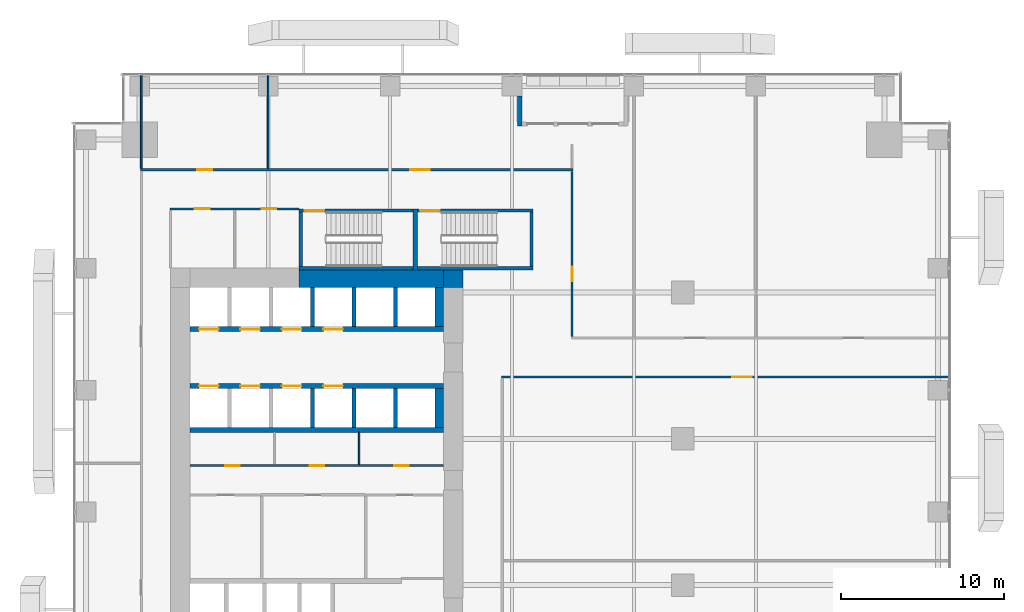
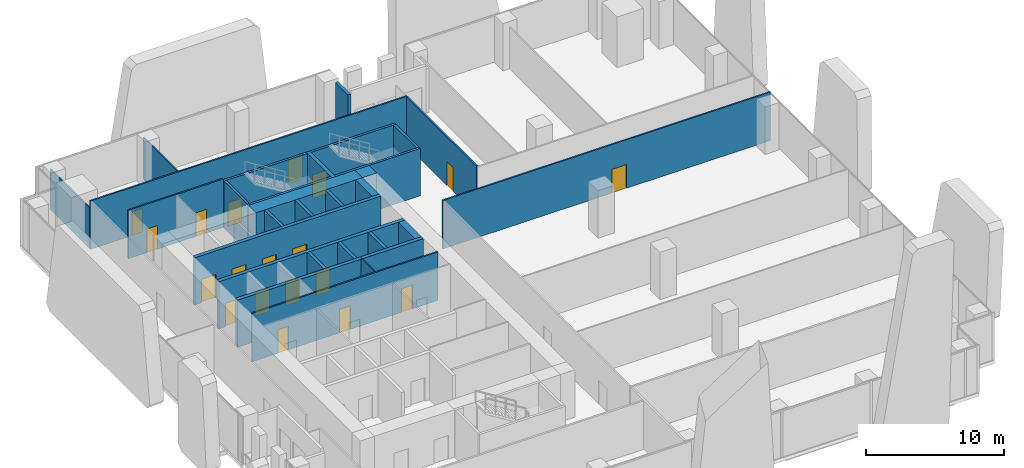
# One storey, part 29 of 34: 29 walls, 19 doors, 19 openings.
"""IFC4 building model written with IfcOpenShell, lengths in metres."""

from ifc_helpers import new_model, si_unit, direction, frame, frame_2d, origin, place, context, subcontext, project, spatial, rectangle, extrude, source, transform, mapped, material, layer, layer_set, type_object, element, fill, save


model = new_model("IFC4")

# Units and contexts
model_context = context("Model", 3, precision=1e-05, world=origin(), true_north=direction((0.0, 1.0)))
body_context = subcontext(model_context, "Body", "Model", "MODEL_VIEW")
ifc_project = project(units=[si_unit("LENGTHUNIT", "METRE"), si_unit("AREAUNIT", "SQUARE_METRE"), si_unit("VOLUMEUNIT", "CUBIC_METRE"), si_unit("PLANEANGLEUNIT", "RADIAN"), si_unit("MASSUNIT", "GRAM", prefix="KILO")], contexts=[model_context])

# Site, building, storey
site_placement = place(None, origin())
site = spatial("IfcSite", under=ifc_project, at=site_placement, CompositionType="ELEMENT")
building_placement = place(site_placement, origin())
building = spatial("IfcBuilding", under=site, at=building_placement, Name="Khomas Fold Tower", CompositionType="ELEMENT")
storey_placement = place(building_placement, frame((0.0, 0.0, 51.0)))
storey = spatial("IfcBuildingStorey", under=building, at=storey_placement, Name="L10", CompositionType="ELEMENT", Elevation=51.0)

# Walls
ifc_material_1 = material(Name="Concrete C70/85", Category="concrete")
ifc_layer_1 = layer(ifc_material_1, 1.10009765625)
ifc_layer_set_1 = layer_set([ifc_layer_1], Name="Concrete C70/85")
wall_type_1 = type_object("IfcWallType", Name="Core wall 1100", PredefinedType="SHEAR", material=ifc_layer_set_1)
shared_shape_1 = source(origin(), body_context, "Body", "SweptSolid", [
    extrude(rectangle(XDim=8.900146484375, YDim=1.10009765625, at=frame_2d((4.4501953125, 0.0))), origin(), (0.0, 0.0, 1.0), 4.199951171875),
])
wall_1_placement = place(storey_placement, frame((13.89990234375, 41.35009765625, 0.0), z_axis=(0.0, 0.0, 1.0), x_axis=(1.0, 0.0, 0.0)))
element("IfcWall", 1, at=wall_1_placement, inside=storey, type_object=wall_type_1, Name="Core wall CW-L-N-B2-1", PredefinedType="SHEAR", context=body_context, shape_type="MappedRepresentation", body=[
    mapped(shared_shape_1, transform((0.0, 0.0, 0.0))),
])
ifc_material_2 = material(Name="Concrete C70/85", Category="concrete")
ifc_layer_2 = layer(ifc_material_2, 1.10009765625)
ifc_layer_set_2 = layer_set([ifc_layer_2], Name="Concrete C70/85")
wall_type_2 = type_object("IfcWallType", Name="Core corner wall 1100", PredefinedType="SHEAR", material=ifc_layer_set_2)
shared_shape_2 = source(origin(), body_context, "Body", "SweptSolid", [
    extrude(rectangle(XDim=1.199951171875, YDim=1.10009765625, at=frame_2d((0.60009765625, 0.0))), origin(), (0.0, 0.0, 1.0), 4.199951171875),
])
wall_2_placement = place(storey_placement, frame((22.800048828125, 41.35009765625, 0.0), z_axis=(0.0, 0.0, 1.0), x_axis=(1.0, 0.0, 0.0)))
element("IfcWall", 2, at=wall_2_placement, inside=storey, type_object=wall_type_2, Name="Core wall CW-L-NE-B2", PredefinedType="SHEAR", context=body_context, shape_type="MappedRepresentation", body=[
    mapped(shared_shape_2, transform((0.0, 0.0, 0.0))),
])

# Wall, opening, door
ifc_material_3 = material(Name="Concrete C50/60", Category="concrete")
ifc_layer_3 = layer(ifc_material_3, 0.199951171875)
ifc_layer_set_3 = layer_set([ifc_layer_3], Name="Concrete C50/60")
wall_type_3 = type_object("IfcWallType", Name="Stair wall 200", PredefinedType="SHEAR", material=ifc_layer_set_3)
shared_shape_3 = source(origin(), body_context, "Body", "SweptSolid", [
    extrude(rectangle(XDim=7.0, YDim=0.199951171875, at=frame_2d((3.5, 0.0))), origin(), (0.0, 0.0, 1.0), 4.199951171875),
])
wall_3_placement = place(storey_placement, frame((13.89990234375, 45.550048828125, 0.0), z_axis=(0.0, 0.0, 1.0), x_axis=(1.0, 0.0, 0.0)))
wall_3 = element("IfcWall", 3, at=wall_3_placement, inside=storey, type_object=wall_type_3, Name="Stair wall SW-ST1-N", PredefinedType="SHEAR", context=body_context, shape_type="MappedRepresentation", body=[
    mapped(shared_shape_3, transform((0.0, 0.0, 0.0))),
])
shared_shape_4 = source(origin(), body_context, "Body", "SweptSolid", [
    extrude(rectangle(XDim=1.199951171875, YDim=2.10009765625, at=frame_2d((0.60009765625, 1.050048828125))), frame((0.0, 0.10986328125, 0.0), z_axis=(0.0, -1.0, 0.0), x_axis=(1.0, 0.0, 0.0)), (0.0, 0.0, 1.0), 0.219970703125),
])
opening_1_placement = place(wall_3_placement, frame((0.35009765625, 0.0, 0.0)))
opening_1 = element("IfcOpeningElement", 4, at=opening_1_placement, cuts=wall_3, Name="Opening SD-ST1", PredefinedType="OPENING", context=body_context, shape_type="MappedRepresentation", body=[
    mapped(shared_shape_4, transform((0.0, 0.0, 0.0))),
])
ifc_material_4 = material(Name="Steel door leaf", Category="steel")
door_type_1 = type_object("IfcDoorType", Name="Stair door 1200x2100 left-hand", OperationType="SINGLE_SWING_LEFT", PredefinedType="DOOR", material=ifc_material_4)
shared_shape_5 = source(origin(), body_context, "Body", "SweptSolid", [
    extrude(rectangle(XDim=1.199951171875, YDim=2.10009765625, at=frame_2d((0.60009765625, 1.050048828125))), frame((0.0, 0.02490234375, 0.0), z_axis=(0.0, -1.0, 0.0), x_axis=(1.0, 0.0, 0.0)), (0.0, 0.0, 1.0), 0.050048828125),
])
door_1_placement = place(opening_1_placement, origin())
door_1 = element("IfcDoor", 5, at=door_1_placement, inside=storey, type_object=door_type_1, Name="Stair door", OperationType="SINGLE_SWING_LEFT", OverallHeight=2.10009765625, OverallWidth=1.199951171875, PredefinedType="DOOR", context=body_context, shape_type="MappedRepresentation", body=[
    mapped(shared_shape_5, transform((0.0, 0.0, 0.0))),
])
fill(opening_1, door_1)

# Wall
wall_4_placement = place(storey_placement, frame((13.89990234375, 42.0, 0.0), z_axis=(0.0, 0.0, 1.0), x_axis=(1.0, 0.0, 0.0)))
element("IfcWall", 6, at=wall_4_placement, inside=storey, type_object=wall_type_3, Name="Stair wall SW-ST1-S", PredefinedType="SHEAR", context=body_context, shape_type="MappedRepresentation", body=[
    mapped(shared_shape_3, transform((0.0, 0.0, 0.0))),
])

# Wall, opening, door
shared_shape_6 = source(origin(), body_context, "Body", "SweptSolid", [
    extrude(rectangle(XDim=7.10009765625, YDim=0.199951171875, at=frame_2d((3.550048828125, 0.0))), origin(), (0.0, 0.0, 1.0), 4.199951171875),
])
wall_5_placement = place(storey_placement, frame((21.199951171875, 45.550048828125, 0.0), z_axis=(0.0, 0.0, 1.0), x_axis=(1.0, 0.0, 0.0)))
wall_5 = element("IfcWall", 7, at=wall_5_placement, inside=storey, type_object=wall_type_3, Name="Stair wall SW-ST3-N", PredefinedType="SHEAR", context=body_context, shape_type="MappedRepresentation", body=[
    mapped(shared_shape_6, transform((0.0, 0.0, 0.0))),
])
opening_2_placement = place(wall_5_placement, frame((0.14990234375, 0.0, 0.0)))
opening_2 = element("IfcOpeningElement", 8, at=opening_2_placement, cuts=wall_5, Name="Opening SD-ST3", PredefinedType="OPENING", context=body_context, shape_type="MappedRepresentation", body=[
    mapped(shared_shape_4, transform((0.0, 0.0, 0.0))),
])
door_2_placement = place(opening_2_placement, origin())
door_2 = element("IfcDoor", 9, at=door_2_placement, inside=storey, type_object=door_type_1, Name="Stair door", OperationType="SINGLE_SWING_LEFT", OverallHeight=2.10009765625, OverallWidth=1.199951171875, PredefinedType="DOOR", context=body_context, shape_type="MappedRepresentation", body=[
    mapped(shared_shape_5, transform((0.0, 0.0, 0.0))),
])
fill(opening_2, door_2)

# Walls
wall_6_placement = place(storey_placement, frame((21.199951171875, 42.0, 0.0), z_axis=(0.0, 0.0, 1.0), x_axis=(1.0, 0.0, 0.0)))
element("IfcWall", 10, at=wall_6_placement, inside=storey, type_object=wall_type_3, Name="Stair wall SW-ST3-S", PredefinedType="SHEAR", context=body_context, shape_type="MappedRepresentation", body=[
    mapped(shared_shape_6, transform((0.0, 0.0, 0.0))),
])
ifc_material_5 = material(Name="Concrete C50/60", Category="concrete")
ifc_layer_4 = layer(ifc_material_5, 0.300048828125)
ifc_layer_set_4 = layer_set([ifc_layer_4], Name="Concrete C50/60")
wall_type_4 = type_object("IfcWallType", Name="Stair wall 300", PredefinedType="SHEAR", material=ifc_layer_set_4)
shared_shape_7 = source(origin(), body_context, "Body", "SweptSolid", [
    extrude(rectangle(XDim=3.75, YDim=0.300048828125, at=frame_2d((1.875, 0.0))), origin(), (0.0, 0.0, 1.0), 4.199951171875),
])
wall_7_placement = place(storey_placement, frame((21.050048828125, 41.89990234375, 0.0), z_axis=(0.0, 0.0, 1.0), x_axis=(0.0, 1.0, 0.0)))
element("IfcWall", 11, at=wall_7_placement, inside=storey, type_object=wall_type_4, Name="Stair wall SW-ST1-E", PredefinedType="SHEAR", context=body_context, shape_type="MappedRepresentation", body=[
    mapped(shared_shape_7, transform((0.0, 0.0, 0.0))),
])
shared_shape_8 = source(origin(), body_context, "Body", "SweptSolid", [
    extrude(rectangle(XDim=3.349853515625, YDim=0.199951171875, at=frame_2d((1.6748046875, 0.0))), origin(), (0.0, 0.0, 1.0), 4.199951171875),
])
for number, where, z_axis, x_axis, name in (
    (12, (14.0, 42.10009765625, 0.0), (0.0, 0.0, 1.0), (0.0, 1.0, 0.0), "Stair wall SW-ST1-W"),
    (13, (28.199951171875, 42.10009765625, 0.0), (0.0, 0.0, 1.0), (0.0, 1.0, 0.0), "Stair wall SW-ST3-E"),
):
    element("IfcWall", number, at=place(storey_placement, frame(where, z_axis=z_axis, x_axis=x_axis)), inside=storey, type_object=wall_type_3, Name=name, PredefinedType="SHEAR", context=body_context, shape_type="MappedRepresentation", body=[
        mapped(shared_shape_8, transform((0.0, 0.0, 0.0))),
    ])
ifc_material_6 = material(Name="Concrete C50/60", Category="concrete")
ifc_layer_5 = layer(ifc_material_6, 0.300048828125)
ifc_layer_set_5 = layer_set([ifc_layer_5], Name="Concrete C50/60")
wall_type_5 = type_object("IfcWallType", Name="Shaft wall 300", PredefinedType="STANDARD", material=ifc_layer_set_5)
shared_shape_9 = source(origin(), body_context, "Body", "SweptSolid", [
    extrude(rectangle(XDim=15.60009765625, YDim=0.300048828125, at=frame_2d((7.800048828125, 0.0))), origin(), (0.0, 0.0, 1.0), 4.199951171875),
])
wall_8_placement = place(storey_placement, frame((7.199951171875, 32.050048828125, 0.0), z_axis=(0.0, 0.0, 1.0), x_axis=(1.0, 0.0, 0.0)))
element("IfcWall", 14, at=wall_8_placement, inside=storey, type_object=wall_type_5, Name="Core wall SW-HRN-B", PredefinedType="STANDARD", context=body_context, shape_type="MappedRepresentation", body=[
    mapped(shared_shape_9, transform((0.0, 0.0, 0.0))),
])

# Wall, openings, doors
wall_9_placement = place(storey_placement, frame((7.199951171875, 38.25, 0.0), z_axis=(0.0, 0.0, 1.0), x_axis=(1.0, 0.0, 0.0)))
wall_9 = element("IfcWall", 15, at=wall_9_placement, inside=storey, type_object=wall_type_5, Name="Core wall SW-LRN-F", PredefinedType="STANDARD", context=body_context, shape_type="MappedRepresentation", body=[
    mapped(shared_shape_9, transform((0.0, 0.0, 0.0))),
])
shared_shape_10 = source(origin(), body_context, "Body", "SweptSolid", [
    extrude(rectangle(XDim=1.199951171875, YDim=2.10009765625, at=frame_2d((0.60009765625, 1.050048828125))), frame((0.0, 0.159912109375, 0.0), z_axis=(0.0, -1.0, 0.0), x_axis=(1.0, 0.0, 0.0)), (0.0, 0.0, 1.0), 0.320068359375),
])
opening_3_placement = place(wall_9_placement, frame((0.550048828125, 0.0, 0.0)))
opening_3 = element("IfcOpeningElement", 16, at=opening_3_placement, cuts=wall_9, Name="Opening LD-LR5", PredefinedType="OPENING", context=body_context, shape_type="MappedRepresentation", body=[
    mapped(shared_shape_10, transform((0.0, 0.0, 0.0))),
])
opening_4_placement = place(wall_9_placement, frame((3.10009765625, 0.0, 0.0)))
opening_4 = element("IfcOpeningElement", 17, at=opening_4_placement, cuts=wall_9, Name="Opening LD-LR6", PredefinedType="OPENING", context=body_context, shape_type="MappedRepresentation", body=[
    mapped(shared_shape_10, transform((0.0, 0.0, 0.0))),
])
opening_5_placement = place(wall_9_placement, frame((5.64990234375, 0.0, 0.0)))
opening_5 = element("IfcOpeningElement", 18, at=opening_5_placement, cuts=wall_9, Name="Opening LD-LR7", PredefinedType="OPENING", context=body_context, shape_type="MappedRepresentation", body=[
    mapped(shared_shape_10, transform((0.0, 0.0, 0.0))),
])
opening_6_placement = place(wall_9_placement, frame((8.199951171875, 0.0, 0.0)))
opening_6 = element("IfcOpeningElement", 19, at=opening_6_placement, cuts=wall_9, Name="Opening LD-LR8", PredefinedType="OPENING", context=body_context, shape_type="MappedRepresentation", body=[
    mapped(shared_shape_10, transform((0.0, 0.0, 0.0))),
])
ifc_material_7 = material(Name="Steel door leaf", Category="steel")
door_type_2 = type_object("IfcDoorType", Name="Landing door 1200x2100", OperationType="DOUBLE_DOOR_SLIDING", PredefinedType="DOOR", material=ifc_material_7)
door_3_placement = place(opening_3_placement, origin())
door_3 = element("IfcDoor", 20, at=door_3_placement, inside=storey, type_object=door_type_2, Name="Lift landing door", OperationType="DOUBLE_DOOR_SLIDING", OverallHeight=2.10009765625, OverallWidth=1.199951171875, PredefinedType="DOOR", context=body_context, shape_type="MappedRepresentation", body=[
    mapped(shared_shape_5, transform((0.0, 0.0, 0.0))),
])
fill(opening_3, door_3)
door_4_placement = place(opening_4_placement, origin())
door_4 = element("IfcDoor", 21, at=door_4_placement, inside=storey, type_object=door_type_2, Name="Lift landing door", OperationType="DOUBLE_DOOR_SLIDING", OverallHeight=2.10009765625, OverallWidth=1.199951171875, PredefinedType="DOOR", context=body_context, shape_type="MappedRepresentation", body=[
    mapped(shared_shape_5, transform((0.0, 0.0, 0.0))),
])
fill(opening_4, door_4)
door_5_placement = place(opening_5_placement, origin())
door_5 = element("IfcDoor", 22, at=door_5_placement, inside=storey, type_object=door_type_2, Name="Lift landing door", OperationType="DOUBLE_DOOR_SLIDING", OverallHeight=2.10009765625, OverallWidth=1.199951171875, PredefinedType="DOOR", context=body_context, shape_type="MappedRepresentation", body=[
    mapped(shared_shape_5, transform((0.0, 0.0, 0.0))),
])
fill(opening_5, door_5)
door_6_placement = place(opening_6_placement, origin())
door_6 = element("IfcDoor", 23, at=door_6_placement, inside=storey, type_object=door_type_2, Name="Lift landing door", OperationType="DOUBLE_DOOR_SLIDING", OverallHeight=2.10009765625, OverallWidth=1.199951171875, PredefinedType="DOOR", context=body_context, shape_type="MappedRepresentation", body=[
    mapped(shared_shape_5, transform((0.0, 0.0, 0.0))),
])
fill(opening_6, door_6)

wall_10_placement = place(storey_placement, frame((7.199951171875, 34.75, 0.0), z_axis=(0.0, 0.0, 1.0), x_axis=(1.0, 0.0, 0.0)))
wall_10 = element("IfcWall", 24, at=wall_10_placement, inside=storey, type_object=wall_type_5, Name="Core wall SW-LRS-F", PredefinedType="STANDARD", context=body_context, shape_type="MappedRepresentation", body=[
    mapped(shared_shape_9, transform((0.0, 0.0, 0.0))),
])
opening_7_placement = place(wall_10_placement, frame((0.550048828125, 0.0, 0.0)))
opening_7 = element("IfcOpeningElement", 25, at=opening_7_placement, cuts=wall_10, Name="Opening LD-LR1", PredefinedType="OPENING", context=body_context, shape_type="MappedRepresentation", body=[
    mapped(shared_shape_10, transform((0.0, 0.0, 0.0))),
])
opening_8_placement = place(wall_10_placement, frame((3.10009765625, 0.0, 0.0)))
opening_8 = element("IfcOpeningElement", 26, at=opening_8_placement, cuts=wall_10, Name="Opening LD-LR2", PredefinedType="OPENING", context=body_context, shape_type="MappedRepresentation", body=[
    mapped(shared_shape_10, transform((0.0, 0.0, 0.0))),
])
opening_9_placement = place(wall_10_placement, frame((5.64990234375, 0.0, 0.0)))
opening_9 = element("IfcOpeningElement", 27, at=opening_9_placement, cuts=wall_10, Name="Opening LD-LR3", PredefinedType="OPENING", context=body_context, shape_type="MappedRepresentation", body=[
    mapped(shared_shape_10, transform((0.0, 0.0, 0.0))),
])
opening_10_placement = place(wall_10_placement, frame((8.199951171875, 0.0, 0.0)))
opening_10 = element("IfcOpeningElement", 28, at=opening_10_placement, cuts=wall_10, Name="Opening LD-LR4", PredefinedType="OPENING", context=body_context, shape_type="MappedRepresentation", body=[
    mapped(shared_shape_10, transform((0.0, 0.0, 0.0))),
])
door_7_placement = place(opening_7_placement, origin())
door_7 = element("IfcDoor", 29, at=door_7_placement, inside=storey, type_object=door_type_2, Name="Lift landing door", OperationType="DOUBLE_DOOR_SLIDING", OverallHeight=2.10009765625, OverallWidth=1.199951171875, PredefinedType="DOOR", context=body_context, shape_type="MappedRepresentation", body=[
    mapped(shared_shape_5, transform((0.0, 0.0, 0.0))),
])
fill(opening_7, door_7)
door_8_placement = place(opening_8_placement, origin())
door_8 = element("IfcDoor", 30, at=door_8_placement, inside=storey, type_object=door_type_2, Name="Lift landing door", OperationType="DOUBLE_DOOR_SLIDING", OverallHeight=2.10009765625, OverallWidth=1.199951171875, PredefinedType="DOOR", context=body_context, shape_type="MappedRepresentation", body=[
    mapped(shared_shape_5, transform((0.0, 0.0, 0.0))),
])
fill(opening_8, door_8)
door_9_placement = place(opening_9_placement, origin())
door_9 = element("IfcDoor", 31, at=door_9_placement, inside=storey, type_object=door_type_2, Name="Lift landing door", OperationType="DOUBLE_DOOR_SLIDING", OverallHeight=2.10009765625, OverallWidth=1.199951171875, PredefinedType="DOOR", context=body_context, shape_type="MappedRepresentation", body=[
    mapped(shared_shape_5, transform((0.0, 0.0, 0.0))),
])
fill(opening_9, door_9)
door_10_placement = place(opening_10_placement, origin())
door_10 = element("IfcDoor", 32, at=door_10_placement, inside=storey, type_object=door_type_2, Name="Lift landing door", OperationType="DOUBLE_DOOR_SLIDING", OverallHeight=2.10009765625, OverallWidth=1.199951171875, PredefinedType="DOOR", context=body_context, shape_type="MappedRepresentation", body=[
    mapped(shared_shape_5, transform((0.0, 0.0, 0.0))),
])
fill(opening_10, door_10)

# Walls
ifc_material_8 = material(Name="Concrete C50/60", Category="concrete")
ifc_layer_6 = layer(ifc_material_8, 0.25)
ifc_layer_set_6 = layer_set([ifc_layer_6], Name="Concrete C50/60")
wall_type_6 = type_object("IfcWallType", Name="Shaft wall 250", PredefinedType="STANDARD", material=ifc_layer_set_6)
shared_shape_11 = source(origin(), body_context, "Body", "SweptSolid", [
    extrude(rectangle(XDim=2.400146484375, YDim=0.25, at=frame_2d((1.2001953125, 0.0))), origin(), (0.0, 0.0, 1.0), 4.199951171875),
])
for number, where, z_axis, x_axis, name in (
    (33, (14.72509765625, 38.39990234375, 0.0), (0.0, 0.0, 1.0), (0.0, 1.0, 0.0), "Core wall SW-LRN-P3"),
    (34, (17.27490234375, 38.39990234375, 0.0), (0.0, 0.0, 1.0), (0.0, 1.0, 0.0), "Core wall SW-LRN-P4"),
    (35, (19.824951171875, 38.39990234375, 0.0), (0.0, 0.0, 1.0), (0.0, 1.0, 0.0), "Core wall SW-LRN-P5"),
    (36, (14.72509765625, 32.199951171875, 0.0), (0.0, 0.0, 1.0), (0.0, 1.0, 0.0), "Core wall SW-LRS-P3"),
    (37, (17.27490234375, 32.199951171875, 0.0), (0.0, 0.0, 1.0), (0.0, 1.0, 0.0), "Core wall SW-LRS-P4"),
    (38, (19.824951171875, 32.199951171875, 0.0), (0.0, 0.0, 1.0), (0.0, 1.0, 0.0), "Core wall SW-LRS-P5"),
):
    element("IfcWall", number, at=place(storey_placement, frame(where, z_axis=z_axis, x_axis=x_axis)), inside=storey, type_object=wall_type_6, Name=name, PredefinedType="STANDARD", context=body_context, shape_type="MappedRepresentation", body=[
        mapped(shared_shape_11, transform((0.0, 0.0, 0.0))),
    ])
ifc_material_9 = material(Name="Concrete C50/60", Category="concrete")
ifc_layer_7 = layer(ifc_material_9, 0.550048828125)
ifc_layer_set_7 = layer_set([ifc_layer_7], Name="Concrete C50/60")
wall_type_7 = type_object("IfcWallType", Name="Shaft wall 550", PredefinedType="STANDARD", material=ifc_layer_set_7)
shared_shape_12 = source(origin(), body_context, "Body", "SweptSolid", [
    extrude(rectangle(XDim=2.400146484375, YDim=0.550048828125, at=frame_2d((1.2001953125, 0.0))), origin(), (0.0, 0.0, 1.0), 4.199951171875),
])
for number, where, z_axis, x_axis, name in (
    (39, (22.52490234375, 38.39990234375, 0.0), (0.0, 0.0, 1.0), (0.0, 1.0, 0.0), "Core wall SW-LRN-PE"),
    (40, (22.52490234375, 32.199951171875, 0.0), (0.0, 0.0, 1.0), (0.0, 1.0, 0.0), "Core wall SW-LRS-PE"),
):
    element("IfcWall", number, at=place(storey_placement, frame(where, z_axis=z_axis, x_axis=x_axis)), inside=storey, type_object=wall_type_7, Name=name, PredefinedType="STANDARD", context=body_context, shape_type="MappedRepresentation", body=[
        mapped(shared_shape_12, transform((0.0, 0.0, 0.0))),
    ])
ifc_material_10 = material(Name="Natural stone", Category="masonry")
ifc_layer_8 = layer(ifc_material_10, 0.0400390625)
ifc_material_11 = material(Name="Mineral wool insulation", Category="insulation")
ifc_layer_9 = layer(ifc_material_11, 0.10009765625)
ifc_material_12 = material(Name="Masonry", Category="masonry")
ifc_layer_10 = layer(ifc_material_12, 0.110107421875)
ifc_layer_set_8 = layer_set([ifc_layer_8, ifc_layer_9, ifc_layer_10], Name="Stone-faced insulated masonry")
wall_type_8 = type_object("IfcWallType", Name="BL-Balcony wall", PredefinedType="SOLIDWALL", material=ifc_layer_set_8)
shared_shape_13 = source(origin(), body_context, "Body", "SweptSolid", [
    extrude(rectangle(XDim=1.85009765625, YDim=0.25, at=frame_2d((0.925048828125, 0.0))), origin(), (0.0, 0.0, 1.0), 3.89990234375),
])
wall_11_placement = place(storey_placement, frame((27.47509765625, 52.60009765625, 0.0), z_axis=(0.0, 0.0, 1.0), x_axis=(0.0, -1.0, 0.0)))
element("IfcWall", 41, at=wall_11_placement, inside=storey, type_object=wall_type_8, Name="Balcony return wall BAL-L10-N3-lo", PredefinedType="SOLIDWALL", context=body_context, shape_type="MappedRepresentation", body=[
    mapped(shared_shape_13, transform((0.0, 0.0, 0.0))),
])

# Wall, opening, door
ifc_material_13 = material(Name="Plasterboard partition")
ifc_layer_11 = layer(ifc_material_13, 0.125)
ifc_layer_set_9 = layer_set([ifc_layer_11], Name="Plasterboard partition")
wall_type_9 = type_object("IfcWallType", Name="Partition PW2 125", PredefinedType="PARTITIONING", material=ifc_layer_set_9)
shared_shape_14 = source(origin(), body_context, "Body", "SweptSolid", [
    extrude(rectangle(XDim=27.5, YDim=0.125, at=frame_2d((13.75, 0.0))), origin(), (0.0, 0.0, 1.0), 4.300048828125),
])
wall_12_placement = place(storey_placement, frame((26.35009765625, 35.300048828125, 0.0), z_axis=(0.0, 0.0, 1.0), x_axis=(1.0, 0.0, 0.0)))
wall_12 = element("IfcWall", 42, at=wall_12_placement, inside=storey, type_object=wall_type_9, Name="Partition", PredefinedType="PARTITIONING", context=body_context, shape_type="MappedRepresentation", body=[
    mapped(shared_shape_14, transform((0.0, 0.0, 0.0))),
])
shared_shape_15 = source(origin(), body_context, "Body", "SweptSolid", [
    extrude(rectangle(XDim=1.199951171875, YDim=2.10009765625, at=frame_2d((0.60009765625, 1.050048828125))), frame((0.0, 0.072509765625, 0.0), z_axis=(0.0, -1.0, 0.0), x_axis=(1.0, 0.0, 0.0)), (0.0, 0.0, 1.0), 0.14501953125),
])
opening_11_placement = place(wall_12_placement, frame((14.199951171875, 0.0, 0.0)))
opening_11 = element("IfcOpeningElement", 43, at=opening_11_placement, cuts=wall_12, Name="Opening 0013", PredefinedType="OPENING", context=body_context, shape_type="MappedRepresentation", body=[
    mapped(shared_shape_15, transform((0.0, 0.0, 0.0))),
])
ifc_material_14 = material(Name="Timber door leaf", Category="wood")
door_type_3 = type_object("IfcDoorType", Name="Door 1200x2100 left-hand", OperationType="SINGLE_SWING_LEFT", PredefinedType="DOOR", material=ifc_material_14)
door_11_placement = place(opening_11_placement, origin())
door_11 = element("IfcDoor", 44, at=door_11_placement, inside=storey, type_object=door_type_3, Name="Door", OperationType="SINGLE_SWING_LEFT", OverallHeight=2.10009765625, OverallWidth=1.199951171875, PredefinedType="DOOR", context=body_context, shape_type="MappedRepresentation", body=[
    mapped(shared_shape_5, transform((0.0, 0.0, 0.0))),
])
fill(opening_11, door_11)

shared_shape_16 = source(origin(), body_context, "Body", "SweptSolid", [
    extrude(rectangle(XDim=10.14990234375, YDim=0.125, at=frame_2d((5.074951171875, 0.0))), origin(), (0.0, 0.0, 1.0), 4.300048828125),
])
wall_13_placement = place(storey_placement, frame((30.699951171875, 37.800048828125, 0.0), z_axis=(0.0, 0.0, 1.0), x_axis=(0.0, 1.0, 0.0)))
wall_13 = element("IfcWall", 45, at=wall_13_placement, inside=storey, type_object=wall_type_9, Name="Partition", PredefinedType="PARTITIONING", context=body_context, shape_type="MappedRepresentation", body=[
    mapped(shared_shape_16, transform((0.0, 0.0, 0.0))),
])
shared_shape_17 = source(origin(), body_context, "Body", "SweptSolid", [
    extrude(rectangle(XDim=0.89990234375, YDim=2.10009765625, at=frame_2d((0.449951171875, 1.050048828125))), frame((0.0, 0.072509765625, 0.0), z_axis=(0.0, -1.0, 0.0), x_axis=(1.0, 0.0, 0.0)), (0.0, 0.0, 1.0), 0.14501953125),
])
opening_12_placement = place(wall_13_placement, frame((3.39990234375, 0.0, 0.0)))
opening_12 = element("IfcOpeningElement", 46, at=opening_12_placement, cuts=wall_13, Name="Opening 0007", PredefinedType="OPENING", context=body_context, shape_type="MappedRepresentation", body=[
    mapped(shared_shape_17, transform((0.0, 0.0, 0.0))),
])
ifc_material_15 = material(Name="Timber door leaf", Category="wood")
door_type_4 = type_object("IfcDoorType", Name="Door 900x2100 left-hand", OperationType="SINGLE_SWING_LEFT", PredefinedType="DOOR", material=ifc_material_15)
shared_shape_18 = source(origin(), body_context, "Body", "SweptSolid", [
    extrude(rectangle(XDim=0.89990234375, YDim=2.10009765625, at=frame_2d((0.449951171875, 1.050048828125))), frame((0.0, 0.02490234375, 0.0), z_axis=(0.0, -1.0, 0.0), x_axis=(1.0, 0.0, 0.0)), (0.0, 0.0, 1.0), 0.050048828125),
])
door_12_placement = place(opening_12_placement, origin())
door_12 = element("IfcDoor", 47, at=door_12_placement, inside=storey, type_object=door_type_4, Name="Door", OperationType="SINGLE_SWING_LEFT", OverallHeight=2.10009765625, OverallWidth=0.89990234375, PredefinedType="DOOR", context=body_context, shape_type="MappedRepresentation", body=[
    mapped(shared_shape_18, transform((0.0, 0.0, 0.0))),
])
fill(opening_12, door_12)

# Wall, openings, doors
shared_shape_19 = source(origin(), body_context, "Body", "SweptSolid", [
    extrude(rectangle(XDim=7.949951171875, YDim=0.125, at=frame_2d((3.97509765625, 0.0))), origin(), (0.0, 0.0, 1.0), 4.300048828125),
])
wall_14_placement = place(storey_placement, frame((5.949951171875, 45.64990234375, 0.0), z_axis=(0.0, 0.0, 1.0), x_axis=(1.0, 0.0, 0.0)))
wall_14 = element("IfcWall", 48, at=wall_14_placement, inside=storey, type_object=wall_type_9, Name="Partition", PredefinedType="PARTITIONING", context=body_context, shape_type="MappedRepresentation", body=[
    mapped(shared_shape_19, transform((0.0, 0.0, 0.0))),
])
opening_13_placement = place(wall_14_placement, frame((1.550048828125, 0.0, 0.0)))
opening_13 = element("IfcOpeningElement", 49, at=opening_13_placement, cuts=wall_14, Name="Opening 0007", PredefinedType="OPENING", context=body_context, shape_type="MappedRepresentation", body=[
    mapped(shared_shape_17, transform((0.0, 0.0, 0.0))),
])
opening_14_placement = place(wall_14_placement, frame((5.64990234375, 0.0, 0.0)))
opening_14 = element("IfcOpeningElement", 50, at=opening_14_placement, cuts=wall_14, Name="Opening 0008", PredefinedType="OPENING", context=body_context, shape_type="MappedRepresentation", body=[
    mapped(shared_shape_17, transform((0.0, 0.0, 0.0))),
])
door_13_placement = place(opening_13_placement, origin())
door_13 = element("IfcDoor", 51, at=door_13_placement, inside=storey, type_object=door_type_4, Name="Door", OperationType="SINGLE_SWING_LEFT", OverallHeight=2.10009765625, OverallWidth=0.89990234375, PredefinedType="DOOR", context=body_context, shape_type="MappedRepresentation", body=[
    mapped(shared_shape_18, transform((0.0, 0.0, 0.0))),
])
fill(opening_13, door_13)
ifc_material_16 = material(Name="Timber door leaf", Category="wood")
door_type_5 = type_object("IfcDoorType", Name="Door 900x2100 right-hand", OperationType="SINGLE_SWING_RIGHT", PredefinedType="DOOR", material=ifc_material_16)
door_14_placement = place(opening_14_placement, origin())
door_14 = element("IfcDoor", 52, at=door_14_placement, inside=storey, type_object=door_type_5, Name="Door", OperationType="SINGLE_SWING_RIGHT", OverallHeight=2.10009765625, OverallWidth=0.89990234375, PredefinedType="DOOR", context=body_context, shape_type="MappedRepresentation", body=[
    mapped(shared_shape_18, transform((0.0, 0.0, 0.0))),
])
fill(opening_14, door_14)

# Wall
ifc_material_17 = material(Name="Plasterboard partition")
ifc_layer_12 = layer(ifc_material_17, 0.10009765625)
ifc_layer_set_10 = layer_set([ifc_layer_12], Name="Plasterboard partition")
wall_type_10 = type_object("IfcWallType", Name="Partition PW1 100", PredefinedType="PARTITIONING", material=ifc_layer_set_10)
shared_shape_20 = source(origin(), body_context, "Body", "SweptSolid", [
    extrude(rectangle(XDim=5.7001953125, YDim=0.10009765625, at=frame_2d((2.85009765625, 0.0))), origin(), (0.0, 0.0, 1.0), 3.699951171875),
])
wall_15_placement = place(storey_placement, frame((12.0, 48.14990234375, 0.0), z_axis=(0.0, 0.0, 1.0), x_axis=(0.0, 1.0, 0.0)))
element("IfcWall", 53, at=wall_15_placement, inside=storey, type_object=wall_type_10, Name="Partition", PredefinedType="PARTITIONING", context=body_context, shape_type="MappedRepresentation", body=[
    mapped(shared_shape_20, transform((0.0, 0.0, 0.0))),
])

# Wall, openings, doors
shared_shape_21 = source(origin(), body_context, "Body", "SweptSolid", [
    extrude(rectangle(XDim=15.60009765625, YDim=0.125, at=frame_2d((7.800048828125, 0.0))), origin(), (0.0, 0.0, 1.0), 4.300048828125),
])
wall_16_placement = place(storey_placement, frame((7.199951171875, 29.85009765625, 0.0), z_axis=(0.0, 0.0, 1.0), x_axis=(1.0, 0.0, 0.0)))
wall_16 = element("IfcWall", 54, at=wall_16_placement, inside=storey, type_object=wall_type_9, Name="Partition", PredefinedType="PARTITIONING", context=body_context, shape_type="MappedRepresentation", body=[
    mapped(shared_shape_21, transform((0.0, 0.0, 0.0))),
])
opening_15_placement = place(wall_16_placement, frame((2.14990234375, 0.0, 0.0)))
opening_15 = element("IfcOpeningElement", 55, at=opening_15_placement, cuts=wall_16, Name="Opening 0005", PredefinedType="OPENING", context=body_context, shape_type="MappedRepresentation", body=[
    mapped(shared_shape_17, transform((0.0, 0.0, 0.0))),
])
opening_16_placement = place(wall_16_placement, frame((7.35009765625, 0.0, 0.0)))
opening_16 = element("IfcOpeningElement", 56, at=opening_16_placement, cuts=wall_16, Name="Opening 0004", PredefinedType="OPENING", context=body_context, shape_type="MappedRepresentation", body=[
    mapped(shared_shape_17, transform((0.0, 0.0, 0.0))),
])
opening_17_placement = place(wall_16_placement, frame((12.550048828125, 0.0, 0.0)))
opening_17 = element("IfcOpeningElement", 57, at=opening_17_placement, cuts=wall_16, Name="Opening 0007", PredefinedType="OPENING", context=body_context, shape_type="MappedRepresentation", body=[
    mapped(shared_shape_17, transform((0.0, 0.0, 0.0))),
])
ifc_material_18 = material(Name="Timber door leaf", Category="wood")
door_type_6 = type_object("IfcDoorType", Name="WC door 900x2100 left-hand", OperationType="SINGLE_SWING_LEFT", PredefinedType="DOOR", material=ifc_material_18)
door_15_placement = place(opening_15_placement, origin())
door_15 = element("IfcDoor", 58, at=door_15_placement, inside=storey, type_object=door_type_6, Name="WC door", OperationType="SINGLE_SWING_LEFT", OverallHeight=2.10009765625, OverallWidth=0.89990234375, PredefinedType="DOOR", context=body_context, shape_type="MappedRepresentation", body=[
    mapped(shared_shape_18, transform((0.0, 0.0, 0.0))),
])
fill(opening_15, door_15)
ifc_material_19 = material(Name="Timber door leaf", Category="wood")
door_type_7 = type_object("IfcDoorType", Name="WC door 900x2100 right-hand", OperationType="SINGLE_SWING_RIGHT", PredefinedType="DOOR", material=ifc_material_19)
door_16_placement = place(opening_16_placement, origin())
door_16 = element("IfcDoor", 59, at=door_16_placement, inside=storey, type_object=door_type_7, Name="WC door", OperationType="SINGLE_SWING_RIGHT", OverallHeight=2.10009765625, OverallWidth=0.89990234375, PredefinedType="DOOR", context=body_context, shape_type="MappedRepresentation", body=[
    mapped(shared_shape_18, transform((0.0, 0.0, 0.0))),
])
fill(opening_16, door_16)
door_17_placement = place(opening_17_placement, origin())
door_17 = element("IfcDoor", 60, at=door_17_placement, inside=storey, type_object=door_type_4, Name="Door", OperationType="SINGLE_SWING_LEFT", OverallHeight=2.10009765625, OverallWidth=0.89990234375, PredefinedType="DOOR", context=body_context, shape_type="MappedRepresentation", body=[
    mapped(shared_shape_18, transform((0.0, 0.0, 0.0))),
])
fill(opening_17, door_17)

# Wall
shared_shape_22 = source(origin(), body_context, "Body", "SweptSolid", [
    extrude(rectangle(XDim=1.949951171875, YDim=0.10009765625, at=frame_2d((0.97509765625, 0.0))), origin(), (0.0, 0.0, 1.0), 4.300048828125),
])
wall_17_placement = place(storey_placement, frame((17.60009765625, 29.949951171875, 0.0), z_axis=(0.0, 0.0, 1.0), x_axis=(0.0, 1.0, 0.0)))
element("IfcWall", 61, at=wall_17_placement, inside=storey, type_object=wall_type_10, Name="Partition", PredefinedType="PARTITIONING", context=body_context, shape_type="MappedRepresentation", body=[
    mapped(shared_shape_22, transform((0.0, 0.0, 0.0))),
])

# Wall, openings, doors
shared_shape_23 = source(origin(), body_context, "Body", "SweptSolid", [
    extrude(rectangle(XDim=26.60009765625, YDim=0.125, at=frame_2d((13.300048828125, 0.0))), origin(), (0.0, 0.0, 1.0), 4.300048828125),
])
wall_18_placement = place(storey_placement, frame((4.14990234375, 48.050048828125, 0.0), z_axis=(0.0, 0.0, 1.0), x_axis=(1.0, 0.0, 0.0)))
wall_18 = element("IfcWall", 62, at=wall_18_placement, inside=storey, type_object=wall_type_9, Name="Partition", PredefinedType="PARTITIONING", context=body_context, shape_type="MappedRepresentation", body=[
    mapped(shared_shape_23, transform((0.0, 0.0, 0.0))),
])
opening_18_placement = place(wall_18_placement, frame((3.5, 0.0, 0.0)))
opening_18 = element("IfcOpeningElement", 63, at=opening_18_placement, cuts=wall_18, Name="Opening 0008", PredefinedType="OPENING", context=body_context, shape_type="MappedRepresentation", body=[
    mapped(shared_shape_17, transform((0.0, 0.0, 0.0))),
])
opening_19_placement = place(wall_18_placement, frame((16.60009765625, 0.0, 0.0)))
opening_19 = element("IfcOpeningElement", 64, at=opening_19_placement, cuts=wall_18, Name="Opening 0013", PredefinedType="OPENING", context=body_context, shape_type="MappedRepresentation", body=[
    mapped(shared_shape_15, transform((0.0, 0.0, 0.0))),
])
door_18_placement = place(opening_18_placement, origin())
door_18 = element("IfcDoor", 65, at=door_18_placement, inside=storey, type_object=door_type_5, Name="Door", OperationType="SINGLE_SWING_RIGHT", OverallHeight=2.10009765625, OverallWidth=0.89990234375, PredefinedType="DOOR", context=body_context, shape_type="MappedRepresentation", body=[
    mapped(shared_shape_18, transform((0.0, 0.0, 0.0))),
])
fill(opening_18, door_18)
door_19_placement = place(opening_19_placement, origin())
door_19 = element("IfcDoor", 66, at=door_19_placement, inside=storey, type_object=door_type_3, Name="Door", OperationType="SINGLE_SWING_LEFT", OverallHeight=2.10009765625, OverallWidth=1.199951171875, PredefinedType="DOOR", context=body_context, shape_type="MappedRepresentation", body=[
    mapped(shared_shape_5, transform((0.0, 0.0, 0.0))),
])
fill(opening_19, door_19)

# Wall
shared_shape_24 = source(origin(), body_context, "Body", "SweptSolid", [
    extrude(rectangle(XDim=5.7001953125, YDim=0.10009765625, at=frame_2d((2.85009765625, 0.0))), origin(), (0.0, 0.0, 1.0), 3.60009765625),
])
wall_19_placement = place(storey_placement, frame((4.199951171875, 48.14990234375, 0.0), z_axis=(0.0, 0.0, 1.0), x_axis=(0.0, 1.0, 0.0)))
element("IfcWall", 67, at=wall_19_placement, inside=storey, type_object=wall_type_10, Name="Partition", PredefinedType="PARTITIONING", context=body_context, shape_type="MappedRepresentation", body=[
    mapped(shared_shape_24, transform((0.0, 0.0, 0.0))),
])

save(model, "model.ifc")
